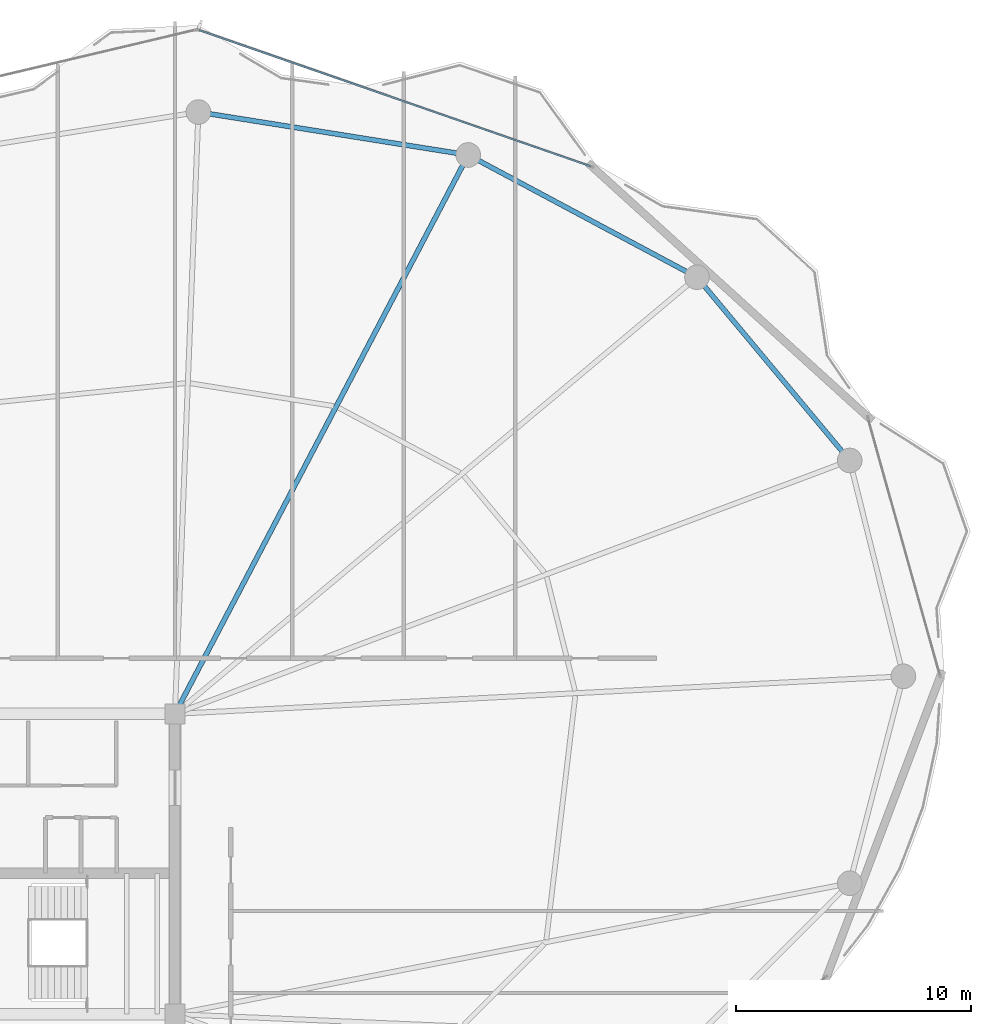
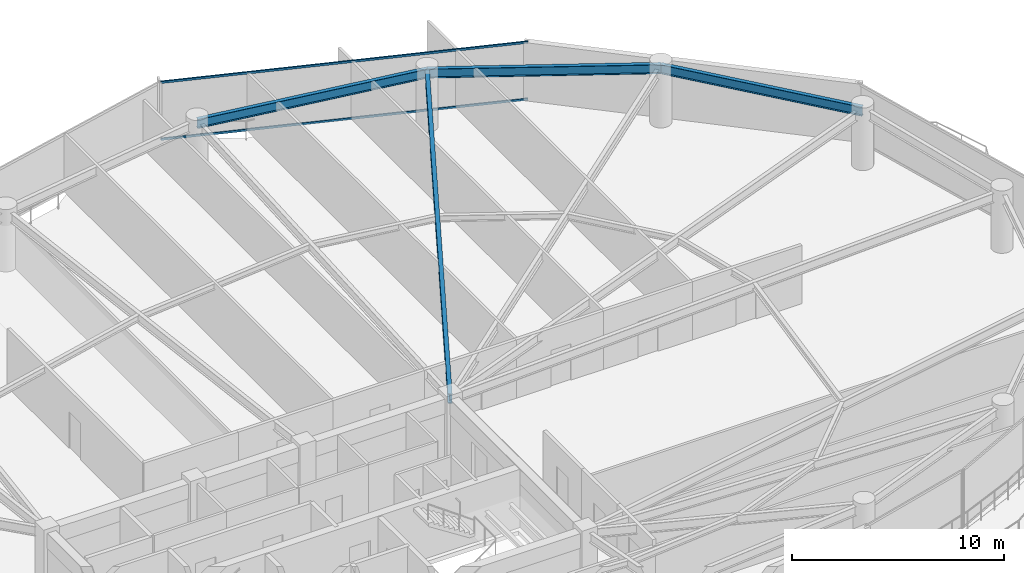
# One storey, part 20 of 28: 4 beams, 2 members, 1 element without a shape of its own.
"""IFC4 building model written with IfcOpenShell, lengths in metres."""

from ifc_helpers import new_model, si_unit, direction, frame, origin, origin_2d, place, context, subcontext, project, spatial, hollow_rectangle, i_section, extrude, material, layer, layer_set, material_profile, profile_set, type_object, element, aggregate, save


model = new_model("IFC4")

# Units and contexts
model_context = context("Model", 3, precision=1e-05, world=origin(), true_north=direction((0.0, 1.0)))
body_context = subcontext(model_context, "Body", "Model", "MODEL_VIEW")
ifc_project = project(units=[si_unit("LENGTHUNIT", "METRE"), si_unit("AREAUNIT", "SQUARE_METRE"), si_unit("VOLUMEUNIT", "CUBIC_METRE"), si_unit("PLANEANGLEUNIT", "RADIAN"), si_unit("MASSUNIT", "GRAM", prefix="KILO")], contexts=[model_context])

# Site, building, storey
site_placement = place(None, origin())
site = spatial("IfcSite", under=ifc_project, at=site_placement, CompositionType="ELEMENT")
building_placement = place(site_placement, origin())
building = spatial("IfcBuilding", under=site, at=building_placement, Name="Kazevale Care Tower and Concert Hall", CompositionType="ELEMENT")
storey_placement = place(building_placement, frame((0.0, 0.0, 228.0)))
storey = spatial("IfcBuildingStorey", under=building, at=storey_placement, Name="L60", CompositionType="ELEMENT", Elevation=228.0)

# Curtain wall, members
ifc_material_1 = material(Name="Aluminium 6063-T6 and Low-E Glass", Category="aluminium")
ifc_layer = layer(ifc_material_1, 0.179931640625)
ifc_layer_set = layer_set([ifc_layer], Name="Aluminium 6063-T6 and Low-E Glass")
curtain_wall_type = type_object("IfcCurtainWallType", Name="Convex Checkerboard Finned Curtain Wall CW-2", PredefinedType="NOTDEFINED", material=ifc_layer_set)
curtain_wall_placement = place(storey_placement, origin())
curtain_wall = element("IfcCurtainWall", 1, at=curtain_wall_placement, inside=storey, type_object=curtain_wall_type, Name="cw:L60:f16", PredefinedType="NOTDEFINED")
ifc_material_2 = material(Name="Aluminium 6063-T6", Category="aluminium")
ifc_material_profile_1 = material_profile(ifc_material_2, hollow_rectangle(XDim=0.074951171875, YDim=0.1201171875, WallThickness=0.00390625, at=origin_2d()), Name="ALU75x120x4")
ifc_profile_set_1 = profile_set([ifc_material_profile_1], Name="Aluminium 6063-T6")
member_type = type_object("IfcMemberType", Name="CW-2 Transom ALU75x120x4", PredefinedType="USERDEFINED", material=ifc_profile_set_1)
member_1_placement = place(storey_placement, frame((45.029541015625, 65.541748046875, 0.03759765625), z_axis=(0.944475733242, -0.328581176146, 0.0), x_axis=(0.328581176146, 0.944475733242, 0.0)))
member_1 = element("IfcMember", 2, at=member_1_placement, type_object=member_type, Name="CW-2 transom 1.1", ObjectType="TRANSOM", PredefinedType="USERDEFINED", context=body_context, shape_type="SweptSolid", body=[
    extrude(hollow_rectangle(XDim=0.074951171875, YDim=0.1201171875, WallThickness=0.00390625, at=origin_2d()), origin(), (0.0, 0.0, 1.0), 17.671142578125),
])
member_2_placement = place(storey_placement, frame((45.029541015625, 65.541748046875, 3.322509765625), z_axis=(0.944475733242, -0.328581176146, 0.0), x_axis=(0.328581176146, 0.944475733242, 0.0)))
member_2 = element("IfcMember", 3, at=member_2_placement, type_object=member_type, Name="CW-2 transom 1.2", ObjectType="TRANSOM", PredefinedType="USERDEFINED", context=body_context, shape_type="SweptSolid", body=[
    extrude(hollow_rectangle(XDim=0.074951171875, YDim=0.1201171875, WallThickness=0.00390625, at=origin_2d()), origin(), (0.0, 0.0, 1.0), 17.671142578125),
])
aggregate(curtain_wall, [member_1, member_2])

# Beams
ifc_material_3 = material(Name="Steel ASTM A572 Gr 50", Category="steel")
ifc_material_profile_2 = material_profile(ifc_material_3, i_section(OverallWidth=0.2119140625, OverallDepth=0.5439453125, WebThickness=0.01318359375, FlangeThickness=0.021240234375, at=origin_2d()), Name="W530x123")
ifc_profile_set_2 = profile_set([ifc_material_profile_2], Name="Steel ASTM A572 Gr 50")
beam_type_1 = type_object("IfcBeamType", Name="Radial Floor Girder W530x123", PredefinedType="BEAM", material=ifc_profile_set_2)
beam_1_placement = place(storey_placement, frame((44.0, 36.39990234375, 3.087890625), z_axis=(0.464672566396, 0.885482583702, 0.0), x_axis=(-0.885482583702, 0.464672566396, 0.0)))
element("IfcBeam", 4, at=beam_1_placement, inside=storey, type_object=beam_type_1, Name="beam:L60:rad:04", PredefinedType="BEAM", context=body_context, shape_type="SweptSolid", body=[
    extrude(i_section(OverallWidth=0.2119140625, OverallDepth=0.5439453125, WebThickness=0.01318359375, FlangeThickness=0.021240234375, at=origin_2d()), origin(), (0.0, 0.0, 1.0), 26.900634765625),
])
ifc_material_profile_3 = material_profile(ifc_material_3, i_section(OverallWidth=0.208984375, OverallDepth=0.532958984375, WebThickness=0.01025390625, FlangeThickness=0.015625, at=origin_2d()), Name="W530x92")
ifc_profile_set_3 = profile_set([ifc_material_profile_3], Name="Steel ASTM A572 Gr 50")
beam_type_2 = type_object("IfcBeamType", Name="Upper Ring Beam W530x92", PredefinedType="BEAM", material=ifc_profile_set_3)
beam_2_placement = place(storey_placement, frame((72.760009765625, 47.199951171875, 3.093505859375), z_axis=(-0.640278868102, 0.768142546056, 0.0), x_axis=(-0.768142546056, -0.640278868102, 0.0)))
element("IfcBeam", 5, at=beam_2_placement, inside=storey, type_object=beam_type_2, Name="beam:L60:ring:02", PredefinedType="BEAM", context=body_context, shape_type="SweptSolid", body=[
    extrude(i_section(OverallWidth=0.208984375, OverallDepth=0.532958984375, WebThickness=0.01025390625, FlangeThickness=0.015625, at=origin_2d()), origin(), (0.0, 0.0, 1.0), 10.16748046875),
])
beam_3_placement = place(storey_placement, frame((66.25, 55.010009765625, 3.093505859375), z_axis=(-0.881978519833, 0.471289603697, 0.0), x_axis=(-0.471289603697, -0.881978519833, 0.0)))
element("IfcBeam", 6, at=beam_3_placement, inside=storey, type_object=beam_type_2, Name="beam:L60:ring:03", PredefinedType="BEAM", context=body_context, shape_type="SweptSolid", body=[
    extrude(i_section(OverallWidth=0.208984375, OverallDepth=0.532958984375, WebThickness=0.01025390625, FlangeThickness=0.015625, at=origin_2d()), origin(), (0.0, 0.0, 1.0), 11.0546875),
])
beam_4_placement = place(storey_placement, frame((56.5, 60.219970703125, 3.093505859375), z_axis=(-0.987573207584, 0.15715966296, 0.0), x_axis=(-0.15715966296, -0.987573207584, 0.0)))
element("IfcBeam", 7, at=beam_4_placement, inside=storey, type_object=beam_type_2, Name="beam:L60:ring:04", PredefinedType="BEAM", context=body_context, shape_type="SweptSolid", body=[
    extrude(i_section(OverallWidth=0.208984375, OverallDepth=0.532958984375, WebThickness=0.01025390625, FlangeThickness=0.015625, at=origin_2d()), origin(), (0.0, 0.0, 1.0), 11.644775390625),
])

save(model, "model.ifc")
